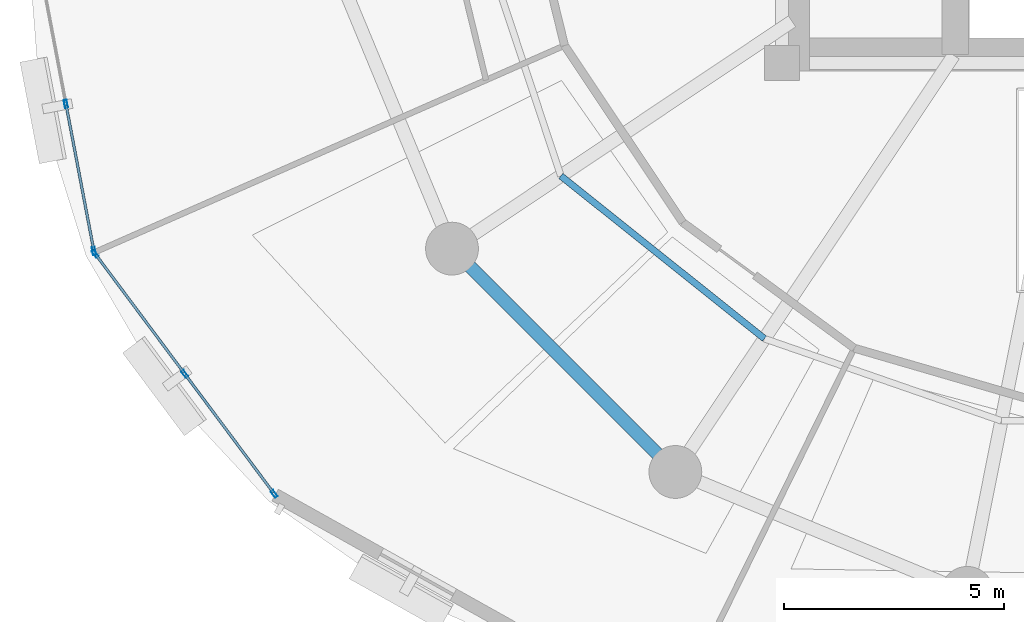
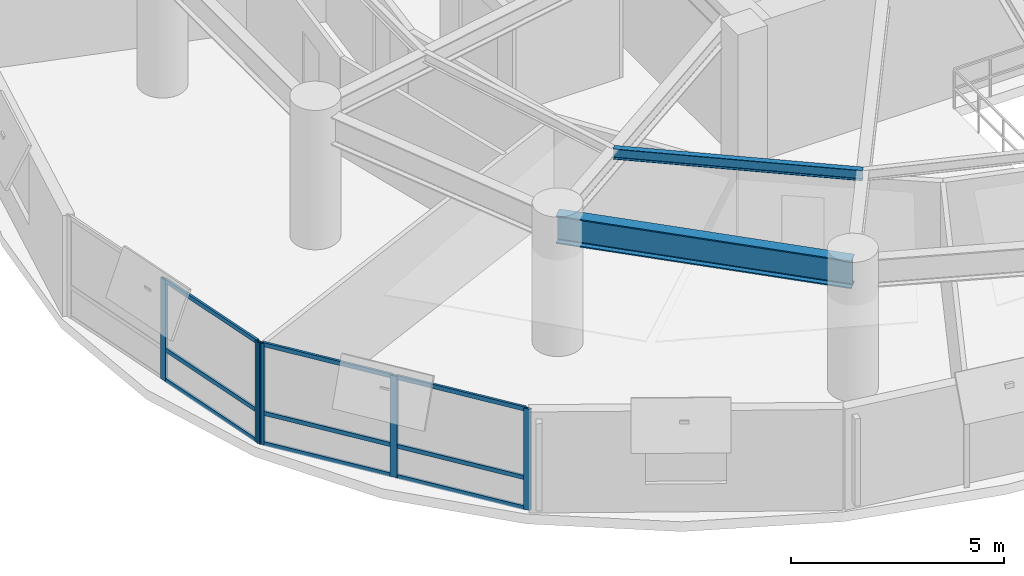
# One storey, part 2 of 14: 14 members, 2 beams, 2 elements without a shape of their own.
"""IFC4 building model written with IfcOpenShell, lengths in metres."""

from ifc_helpers import new_model, si_unit, direction, frame, origin, origin_2d, place, context, subcontext, project, spatial, hollow_rectangle, i_section, extrude, material, layer, layer_set, material_profile, profile_set, type_object, element, aggregate, save


model = new_model("IFC4")

# Units and contexts
model_context = context("Model", 3, precision=1e-05, world=origin(), true_north=direction((0.0, 1.0)))
body_context = subcontext(model_context, "Body", "Model", "MODEL_VIEW")
ifc_project = project(units=[si_unit("LENGTHUNIT", "METRE"), si_unit("AREAUNIT", "SQUARE_METRE"), si_unit("VOLUMEUNIT", "CUBIC_METRE"), si_unit("PLANEANGLEUNIT", "RADIAN"), si_unit("MASSUNIT", "GRAM", prefix="KILO"), si_unit("THERMODYNAMICTEMPERATUREUNIT", "KELVIN"), si_unit("POWERUNIT", "WATT")], contexts=[model_context])

# Site, building, storey
site_placement = place(None, origin())
site = spatial("IfcSite", under=ifc_project, at=site_placement, CompositionType="ELEMENT")
building_placement = place(site_placement, origin())
building = spatial("IfcBuilding", under=site, at=building_placement, Name="Ocrelia Relay Tower", CompositionType="ELEMENT")
storey_placement = place(building_placement, frame((0.0, 0.0, 133.800048828125)))
storey = spatial("IfcBuildingStorey", under=building, at=storey_placement, Name="L31", CompositionType="ELEMENT", Elevation=133.800048828125)

# Beams
ifc_material_1 = material(Name="Steel S355", Category="steel")
ifc_material_profile_1 = material_profile(ifc_material_1, i_section(OverallWidth=0.300048828125, OverallDepth=0.800048828125, WebThickness=0.017578125, FlangeThickness=0.032958984375, FilletRadius=0.030029296875, at=origin_2d()), Name="HEB 800")
ifc_profile_set_1 = profile_set([ifc_material_profile_1], Name="Steel S355")
beam_type_1 = type_object("IfcBeamType", Name="BM-HEB800", PredefinedType="BEAM", material=ifc_profile_set_1)
beam_1_placement = place(storey_placement, frame((18.700927734375, 15.777587890625, 3.320068359375), z_axis=(0.707106781187, -0.707106781187, 0.0), x_axis=(0.707106781187, 0.707106781187, 0.0)))
element("IfcBeam", 1, at=beam_1_placement, inside=storey, type_object=beam_type_1, Name="L31 Perimeter Spandrel Beam S10", PredefinedType="BEAM", context=body_context, shape_type="SweptSolid", body=[
    extrude(i_section(OverallWidth=0.300048828125, OverallDepth=0.800048828125, WebThickness=0.017578125, FlangeThickness=0.032958984375, FilletRadius=0.030029296875, at=origin_2d()), origin(), (0.0, 0.0, 1.0), 7.179443359375),
])
ifc_material_profile_2 = material_profile(ifc_material_1, i_section(OverallWidth=0.14990234375, OverallDepth=0.300048828125, WebThickness=0.007080078125, FlangeThickness=0.0107421875, FilletRadius=0.014892578125, at=origin_2d()), Name="IPE 300")
ifc_profile_set_2 = profile_set([ifc_material_profile_2], Name="Steel S355")
beam_type_2 = type_object("IfcBeamType", Name="BM-IPE300", PredefinedType="JOIST", material=ifc_profile_set_2)
beam_2_placement = place(storey_placement, frame((21.17431640625, 17.43017578125, 3.570068359375), z_axis=(0.781130070991, -0.62436833055, 0.0), x_axis=(0.62436833055, 0.781130070991, 0.0)))
element("IfcBeam", 2, at=beam_2_placement, inside=storey, type_object=beam_type_2, Name="L31 Secondary Floor Joist J10", PredefinedType="JOIST", context=body_context, shape_type="SweptSolid", body=[
    extrude(i_section(OverallWidth=0.14990234375, OverallDepth=0.300048828125, WebThickness=0.007080078125, FlangeThickness=0.0107421875, FilletRadius=0.014892578125, at=origin_2d()), origin(), (0.0, 0.0, 1.0), 5.92431640625),
])

# Curtain wall, members
ifc_material_2 = material(Name="Aluminium and solar-control low-E glass", Category="aluminium")
ifc_layer = layer(ifc_material_2, 0.179931640625, Name="Aluminium and solar-control low-E glass")
ifc_layer_set = layer_set([ifc_layer], Name="Aluminium and solar-control low-E glass")
curtain_wall_type = type_object("IfcCurtainWallType", Name="CW-SYS-Z2-SWIT", PredefinedType="NOTDEFINED", material=ifc_layer_set)
curtain_wall_1_placement = place(storey_placement, origin())
curtain_wall_1 = element("IfcCurtainWall", 3, at=curtain_wall_1_placement, inside=storey, type_object=curtain_wall_type, Name="L31 Elliptical Tower Curtain Wall Bay 09", PredefinedType="NOTDEFINED")
ifc_material_3 = material(Name="Anodised bronze aluminium", Category="aluminium")
ifc_material_profile_3 = material_profile(ifc_material_3, hollow_rectangle(XDim=0.070068359375, YDim=0.179931640625, WallThickness=0.006103515625, at=origin_2d()), Name="CW-MUL-180x70")
ifc_profile_set_3 = profile_set([ifc_material_profile_3], Name="Anodised bronze aluminium")
member_type_1 = type_object("IfcMemberType", Name="CW-SYS-Z2-SWIT-MUL", PredefinedType="MULLION", material=ifc_profile_set_3)
member_1_placement = place(storey_placement, frame((9.924560546875, 19.068603515625, 0.0), z_axis=(0.0, 0.0, 1.0), x_axis=(0.982351414993, 0.187044640292, 0.0)))
member_1 = element("IfcMember", 4, at=member_1_placement, type_object=member_type_1, Name="CW-Z2 mullion 2", PredefinedType="MULLION", context=body_context, shape_type="SweptSolid", body=[
    extrude(hollow_rectangle(XDim=0.070068359375, YDim=0.179931640625, WallThickness=0.006103515625, at=origin_2d()), origin(), (0.0, 0.0, 1.0), 2.89990234375),
])
member_2_placement = place(storey_placement, frame((10.5615234375, 15.72412109375, 0.0), z_axis=(0.0, 0.0, 1.0), x_axis=(0.982351414993, 0.187044640292, 0.0)))
member_2 = element("IfcMember", 5, at=member_2_placement, type_object=member_type_1, Name="CW-Z2 mullion 3", PredefinedType="MULLION", context=body_context, shape_type="SweptSolid", body=[
    extrude(hollow_rectangle(XDim=0.070068359375, YDim=0.179931640625, WallThickness=0.006103515625, at=origin_2d()), origin(), (0.0, 0.0, 1.0), 2.89990234375),
])

curtain_wall_2_placement = place(storey_placement, origin())
curtain_wall_2 = element("IfcCurtainWall", 6, at=curtain_wall_2_placement, inside=storey, type_object=curtain_wall_type, Name="L31 Elliptical Tower Curtain Wall Bay 10", PredefinedType="NOTDEFINED")
member_3_placement = place(storey_placement, frame((10.5888671875, 15.66162109375, 0.0), z_axis=(0.0, 0.0, 1.0), x_axis=(0.801572448234, 0.597897658661, 0.0)))
member_3 = element("IfcMember", 7, at=member_3_placement, type_object=member_type_1, Name="CW-Z2 mullion 1", PredefinedType="MULLION", context=body_context, shape_type="SweptSolid", body=[
    extrude(hollow_rectangle(XDim=0.070068359375, YDim=0.179931640625, WallThickness=0.006103515625, at=origin_2d()), origin(), (0.0, 0.0, 1.0), 2.89990234375),
])
member_4_placement = place(storey_placement, frame((12.62451171875, 12.9326171875, 0.0), z_axis=(0.0, 0.0, 1.0), x_axis=(0.801572448234, 0.597897658661, 0.0)))
member_4 = element("IfcMember", 8, at=member_4_placement, type_object=member_type_1, Name="CW-Z2 mullion 2", PredefinedType="MULLION", context=body_context, shape_type="SweptSolid", body=[
    extrude(hollow_rectangle(XDim=0.070068359375, YDim=0.179931640625, WallThickness=0.006103515625, at=origin_2d()), origin(), (0.0, 0.0, 1.0), 2.89990234375),
])
member_5_placement = place(storey_placement, frame((14.66015625, 10.20361328125, 0.0), z_axis=(0.0, 0.0, 1.0), x_axis=(0.801572448234, 0.597897658661, 0.0)))
member_5 = element("IfcMember", 9, at=member_5_placement, type_object=member_type_1, Name="CW-Z2 mullion 3", PredefinedType="MULLION", context=body_context, shape_type="SweptSolid", body=[
    extrude(hollow_rectangle(XDim=0.070068359375, YDim=0.179931640625, WallThickness=0.006103515625, at=origin_2d()), origin(), (0.0, 0.0, 1.0), 2.89990234375),
])

# Member
ifc_material_profile_4 = material_profile(ifc_material_3, hollow_rectangle(XDim=0.06005859375, YDim=0.1201171875, WallThickness=0.0048828125, at=origin_2d()), Name="CW-TRN-120x60")
ifc_profile_set_4 = profile_set([ifc_material_profile_4], Name="Anodised bronze aluminium")
member_type_2 = type_object("IfcMemberType", Name="CW-SYS-Z2-SWIT-TRN", PredefinedType="USERDEFINED", material=ifc_profile_set_4)
member_6_placement = place(storey_placement, frame((9.93115234375, 19.0341796875, 0.030029296875), z_axis=(0.187068370008, -0.982346896439, 0.0), x_axis=(0.982346896439, 0.187068370008, 0.0)))
member_6 = element("IfcMember", 10, at=member_6_placement, type_object=member_type_2, Name="CW-Z2 transom 2.1", ObjectType="TRANSOM", PredefinedType="USERDEFINED", context=body_context, shape_type="SweptSolid", body=[
    extrude(hollow_rectangle(XDim=0.06005859375, YDim=0.1201171875, WallThickness=0.0048828125, at=origin_2d()), origin(), (0.0, 0.0, 1.0), 3.33447265625),
])

member_7_placement = place(storey_placement, frame((9.93115234375, 19.0341796875, 0.89990234375), z_axis=(0.187068370008, -0.982346896439, 0.0), x_axis=(0.982346896439, 0.187068370008, 0.0)))
member_7 = element("IfcMember", 11, at=member_7_placement, type_object=member_type_2, Name="CW-Z2 transom 2.2", ObjectType="TRANSOM", PredefinedType="USERDEFINED", context=body_context, shape_type="SweptSolid", body=[
    extrude(hollow_rectangle(XDim=0.06005859375, YDim=0.1201171875, WallThickness=0.0048828125, at=origin_2d()), origin(), (0.0, 0.0, 1.0), 3.33447265625),
])

member_8_placement = place(storey_placement, frame((9.93115234375, 19.0341796875, 2.869873046875), z_axis=(0.187068370008, -0.982346896439, 0.0), x_axis=(0.982346896439, 0.187068370008, 0.0)))
member_8 = element("IfcMember", 12, at=member_8_placement, type_object=member_type_2, Name="CW-Z2 transom 2.3", ObjectType="TRANSOM", PredefinedType="USERDEFINED", context=body_context, shape_type="SweptSolid", body=[
    extrude(hollow_rectangle(XDim=0.06005859375, YDim=0.1201171875, WallThickness=0.0048828125, at=origin_2d()), origin(), (0.0, 0.0, 1.0), 3.33447265625),
])

aggregate(curtain_wall_1, [member_1, member_2, member_6, member_7, member_8])

member_9_placement = place(storey_placement, frame((10.60986328125, 15.633544921875, 0.030029296875), z_axis=(0.597889268807, -0.801578706208, 0.0), x_axis=(0.801578706208, 0.597889268807, 0.0)))
member_9 = element("IfcMember", 13, at=member_9_placement, type_object=member_type_2, Name="CW-Z2 transom 1.1", ObjectType="TRANSOM", PredefinedType="USERDEFINED", context=body_context, shape_type="SweptSolid", body=[
    extrude(hollow_rectangle(XDim=0.06005859375, YDim=0.1201171875, WallThickness=0.0048828125, at=origin_2d()), origin(), (0.0, 0.0, 1.0), 3.33447265625),
])

member_10_placement = place(storey_placement, frame((10.60986328125, 15.633544921875, 0.89990234375), z_axis=(0.597889268807, -0.801578706208, 0.0), x_axis=(0.801578706208, 0.597889268807, 0.0)))
member_10 = element("IfcMember", 14, at=member_10_placement, type_object=member_type_2, Name="CW-Z2 transom 1.2", ObjectType="TRANSOM", PredefinedType="USERDEFINED", context=body_context, shape_type="SweptSolid", body=[
    extrude(hollow_rectangle(XDim=0.06005859375, YDim=0.1201171875, WallThickness=0.0048828125, at=origin_2d()), origin(), (0.0, 0.0, 1.0), 3.33447265625),
])

member_11_placement = place(storey_placement, frame((10.60986328125, 15.633544921875, 2.869873046875), z_axis=(0.597889268807, -0.801578706208, 0.0), x_axis=(0.801578706208, 0.597889268807, 0.0)))
member_11 = element("IfcMember", 15, at=member_11_placement, type_object=member_type_2, Name="CW-Z2 transom 1.3", ObjectType="TRANSOM", PredefinedType="USERDEFINED", context=body_context, shape_type="SweptSolid", body=[
    extrude(hollow_rectangle(XDim=0.06005859375, YDim=0.1201171875, WallThickness=0.0048828125, at=origin_2d()), origin(), (0.0, 0.0, 1.0), 3.33447265625),
])

member_12_placement = place(storey_placement, frame((12.6455078125, 12.904541015625, 0.030029296875), z_axis=(0.597889268807, -0.801578706208, 0.0), x_axis=(0.801578706208, 0.597889268807, 0.0)))
member_12 = element("IfcMember", 16, at=member_12_placement, type_object=member_type_2, Name="CW-Z2 transom 2.1", ObjectType="TRANSOM", PredefinedType="USERDEFINED", context=body_context, shape_type="SweptSolid", body=[
    extrude(hollow_rectangle(XDim=0.06005859375, YDim=0.1201171875, WallThickness=0.0048828125, at=origin_2d()), origin(), (0.0, 0.0, 1.0), 3.33447265625),
])

member_13_placement = place(storey_placement, frame((12.6455078125, 12.904541015625, 0.89990234375), z_axis=(0.597889268807, -0.801578706208, 0.0), x_axis=(0.801578706208, 0.597889268807, 0.0)))
member_13 = element("IfcMember", 17, at=member_13_placement, type_object=member_type_2, Name="CW-Z2 transom 2.2", ObjectType="TRANSOM", PredefinedType="USERDEFINED", context=body_context, shape_type="SweptSolid", body=[
    extrude(hollow_rectangle(XDim=0.06005859375, YDim=0.1201171875, WallThickness=0.0048828125, at=origin_2d()), origin(), (0.0, 0.0, 1.0), 3.33447265625),
])

member_14_placement = place(storey_placement, frame((12.6455078125, 12.904541015625, 2.869873046875), z_axis=(0.597889268807, -0.801578706208, 0.0), x_axis=(0.801578706208, 0.597889268807, 0.0)))
member_14 = element("IfcMember", 18, at=member_14_placement, type_object=member_type_2, Name="CW-Z2 transom 2.3", ObjectType="TRANSOM", PredefinedType="USERDEFINED", context=body_context, shape_type="SweptSolid", body=[
    extrude(hollow_rectangle(XDim=0.06005859375, YDim=0.1201171875, WallThickness=0.0048828125, at=origin_2d()), origin(), (0.0, 0.0, 1.0), 3.33447265625),
])

aggregate(curtain_wall_2, [member_3, member_4, member_5, member_9, member_10, member_11, member_12, member_13, member_14])

save(model, "model.ifc")
